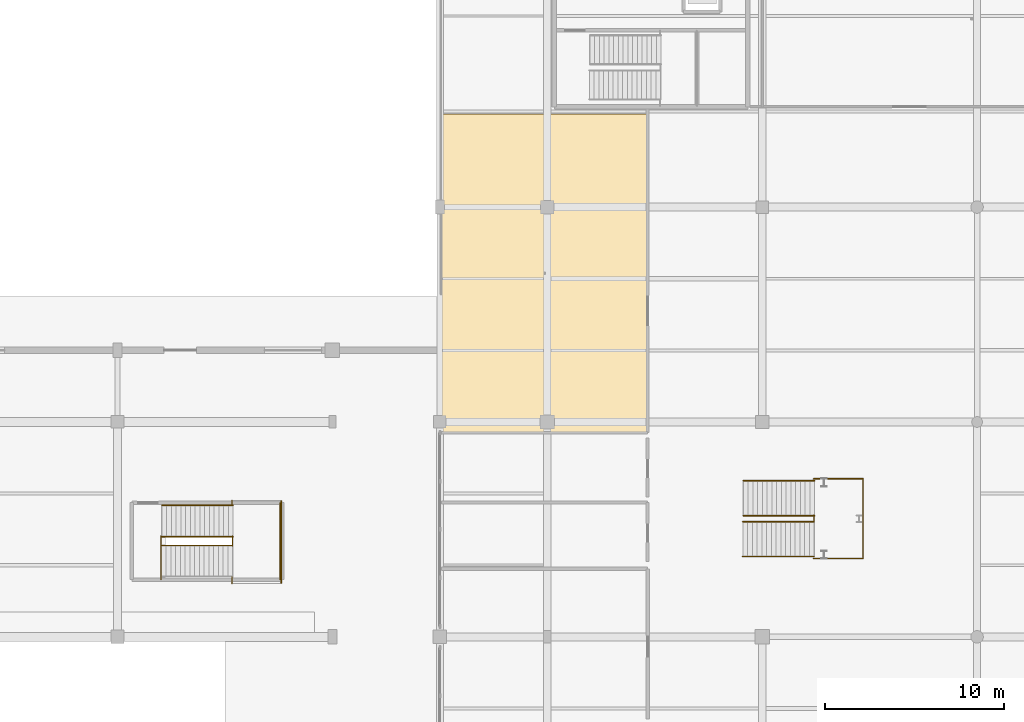
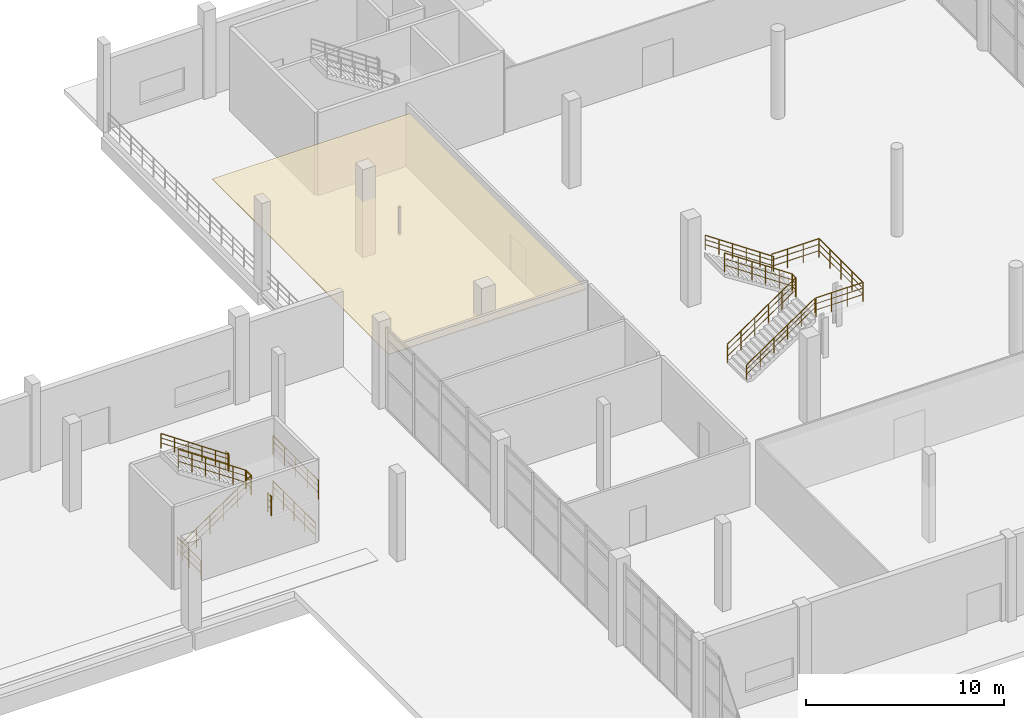
# One storey, part 80 of 85: 17 railings, 1 covering.
"""IFC4 building model written with IfcOpenShell, lengths in metres."""

from ifc_helpers import new_model, si_unit, direction, frame, origin, origin_2d, place, context, subcontext, project, spatial, rectangle, circle, extrude, material, layer, layer_set, type_object, element, save


model = new_model("IFC4")

# Units and contexts
model_context = context("Model", 3, precision=1e-05, world=origin(), true_north=direction((0.0, 1.0)))
body_context = subcontext(model_context, "Body", "Model", "MODEL_VIEW")
ifc_project = project(units=[si_unit("LENGTHUNIT", "METRE"), si_unit("AREAUNIT", "SQUARE_METRE"), si_unit("VOLUMEUNIT", "CUBIC_METRE"), si_unit("PLANEANGLEUNIT", "RADIAN"), si_unit("MASSUNIT", "GRAM", prefix="KILO"), si_unit("THERMODYNAMICTEMPERATUREUNIT", "KELVIN"), si_unit("POWERUNIT", "WATT")], contexts=[model_context])

# Site, building, storey
site_placement = place(None, origin())
site = spatial("IfcSite", under=ifc_project, at=site_placement, CompositionType="ELEMENT")
building_placement = place(site_placement, origin())
building = spatial("IfcBuilding", under=site, at=building_placement, Name="Solmara Park Aquatics Centre", CompositionType="ELEMENT")
storey_placement = place(building_placement, origin())
storey = spatial("IfcBuildingStorey", under=building, at=storey_placement, Name="L00", CompositionType="ELEMENT", Elevation=0.0)

# Covering
ifc_material_1 = material(Name="Moisture-Resistant Perforated Acoustic Gypsum Ceiling", Category="gypsum")
ifc_layer_1 = layer(ifc_material_1, 0.0400390625, Name="Moisture-Resistant Perforated Acoustic Gypsum Ceiling")
ifc_layer_set_1 = layer_set([ifc_layer_1], Name="Moisture-Resistant Perforated Acoustic Gypsum Ceiling")
covering_type = type_object("IfcCoveringType", Name="ARC-COV-CEIL", PredefinedType="CEILING", material=ifc_layer_set_1)
covering_placement = place(storey_placement, frame((167.840087890625, 56.89990234375, 3.3798828125), z_axis=(0.0, 0.0, 1.0), x_axis=(1.0, 0.0, 0.0)))
element("IfcCovering", 1, at=covering_placement, inside=storey, type_object=covering_type, Name="Acoustic Suspended Ceiling L00-COM-01", PredefinedType="CEILING", context=body_context, shape_type="SweptSolid", body=[
    extrude(rectangle(XDim=11.52001953125, YDim=17.800048828125, at=origin_2d()), origin(), (0.0, 0.0, 1.0), 0.0400390625),
])

# Railings
ifc_material_2 = material(Name="Brushed Marine-Grade Stainless Steel 316L Handrail", Category="steel")
ifc_layer_2 = layer(ifc_material_2, 0.044921875, Name="Brushed Marine-Grade Stainless Steel 316L Handrail")
ifc_layer_set_2 = layer_set([ifc_layer_2], Name="Brushed Marine-Grade Stainless Steel 316L Handrail")
railing_type_1 = type_object("IfcRailingType", Name="ARC-RL-HND090", PredefinedType="HANDRAIL", material=ifc_layer_set_2)
railing_1_placement = place(storey_placement, frame((150.455078125, 43.93994140625, 2.868896484375)))
element("IfcRailing", 2, at=railing_1_placement, inside=storey, type_object=railing_type_1, Name="Diving Pavilion Escape Stair ST-09 (L00-L01) Flight 2 Outer Handrail", PredefinedType="HANDRAIL", context=body_context, shape_type="SweptSolid", body=[
    extrude(circle(Radius=0.02392578125, at=origin_2d()), frame((0.0, 0.0, 0.89599609375), z_axis=(-0.827227830126, 0.0, 0.561866636369), x_axis=(0.0, -1.0, 0.0)), (0.0, 0.0, 1.0), 4.805419921875),
    extrude(circle(Radius=0.01416015625, at=origin_2d()), frame((0.0, 0.0, 0.322021484375), z_axis=(-0.827227830126, 0.0, 0.561866636369), x_axis=(0.0, -1.0, 0.0)), (0.0, 0.0, 1.0), 4.805419921875),
    extrude(circle(Radius=0.01416015625, at=origin_2d()), frame((0.0, 0.0, 0.62548828125), z_axis=(-0.827227830126, 0.0, 0.561866636369), x_axis=(0.0, -1.0, 0.0)), (0.0, 0.0, 1.0), 4.805419921875),
    extrude(circle(Radius=0.02099609375, at=origin_2d()), origin(), (0.0, 0.0, 1.0), 0.871826171875),
    extrude(circle(Radius=0.02099609375, at=origin_2d()), frame((-0.794921875, 0.0, 0.5400390625)), (0.0, 0.0, 1.0), 0.871826171875),
    extrude(circle(Radius=0.02099609375, at=origin_2d()), frame((-1.590087890625, 0.0, 1.080078125)), (0.0, 0.0, 1.0), 0.871826171875),
    extrude(circle(Radius=0.02099609375, at=origin_2d()), frame((-2.385009765625, 0.0, 1.619873046875)), (0.0, 0.0, 1.0), 0.871826171875),
    extrude(circle(Radius=0.02099609375, at=origin_2d()), frame((-3.18017578125, 0.0, 2.159912109375)), (0.0, 0.0, 1.0), 0.871826171875),
    extrude(circle(Radius=0.02099609375, at=origin_2d()), frame((-3.97509765625, 0.0, 2.699951171875)), (0.0, 0.0, 1.0), 0.871826171875),
])
railing_2_placement = place(storey_placement, frame((178.919921875, 41.090087890625, 0.168701171875)))
element("IfcRailing", 3, at=railing_2_placement, inside=storey, type_object=railing_type_1, Name="Monumental Foyer Stair ST-06 Flight 1 Outer Handrail", PredefinedType="HANDRAIL", context=body_context, shape_type="SweptSolid", body=[
    extrude(circle(Radius=0.02392578125, at=origin_2d()), frame((0.0, 0.0, 0.89599609375), z_axis=(0.827204215732, 0.0, 0.561901401916), x_axis=(0.0, 1.0, 0.0)), (0.0, 0.0, 1.0), 4.805419921875),
    extrude(circle(Radius=0.01416015625, at=origin_2d()), frame((0.0, 0.0, 0.322021484375), z_axis=(0.827204215732, 0.0, 0.561901401916), x_axis=(0.0, 1.0, 0.0)), (0.0, 0.0, 1.0), 4.805419921875),
    extrude(circle(Radius=0.01416015625, at=origin_2d()), frame((0.0, 0.0, 0.62548828125), z_axis=(0.827204215732, 0.0, 0.561901401916), x_axis=(0.0, 1.0, 0.0)), (0.0, 0.0, 1.0), 4.805419921875),
    extrude(circle(Radius=0.02099609375, at=origin_2d()), origin(), (0.0, 0.0, 1.0), 0.871826171875),
    extrude(circle(Radius=0.02099609375, at=origin_2d()), frame((0.794921875, 0.0, 0.5400390625)), (0.0, 0.0, 1.0), 0.871826171875),
    extrude(circle(Radius=0.02099609375, at=origin_2d()), frame((1.590087890625, 0.0, 1.080078125)), (0.0, 0.0, 1.0), 0.871826171875),
    extrude(circle(Radius=0.02099609375, at=origin_2d()), frame((2.385009765625, 0.0, 1.6201171875)), (0.0, 0.0, 1.0), 0.871826171875),
    extrude(circle(Radius=0.02099609375, at=origin_2d()), frame((3.18017578125, 0.0, 2.16015625)), (0.0, 0.0, 1.0), 0.871826171875),
    extrude(circle(Radius=0.02099609375, at=origin_2d()), frame((3.97509765625, 0.0, 2.7001953125)), (0.0, 0.0, 1.0), 0.871826171875),
])
railing_3_placement = place(storey_placement, frame((182.925048828125, 45.31005859375, 2.868896484375)))
element("IfcRailing", 4, at=railing_3_placement, inside=storey, type_object=railing_type_1, Name="Monumental Foyer Stair ST-06 Flight 2 Outer Handrail", PredefinedType="HANDRAIL", context=body_context, shape_type="SweptSolid", body=[
    extrude(circle(Radius=0.02392578125, at=origin_2d()), frame((0.0, 0.0, 0.89599609375), z_axis=(-0.827227830126, 0.0, 0.561866636369), x_axis=(0.0, -1.0, 0.0)), (0.0, 0.0, 1.0), 4.805419921875),
    extrude(circle(Radius=0.01416015625, at=origin_2d()), frame((0.0, 0.0, 0.322021484375), z_axis=(-0.827227830126, 0.0, 0.561866636369), x_axis=(0.0, -1.0, 0.0)), (0.0, 0.0, 1.0), 4.805419921875),
    extrude(circle(Radius=0.01416015625, at=origin_2d()), frame((0.0, 0.0, 0.62548828125), z_axis=(-0.827227830126, 0.0, 0.561866636369), x_axis=(0.0, -1.0, 0.0)), (0.0, 0.0, 1.0), 4.805419921875),
    extrude(circle(Radius=0.02099609375, at=origin_2d()), origin(), (0.0, 0.0, 1.0), 0.871826171875),
    extrude(circle(Radius=0.02099609375, at=origin_2d()), frame((-0.794921875, 0.0, 0.5400390625)), (0.0, 0.0, 1.0), 0.871826171875),
    extrude(circle(Radius=0.02099609375, at=origin_2d()), frame((-1.590087890625, 0.0, 1.080078125)), (0.0, 0.0, 1.0), 0.871826171875),
    extrude(circle(Radius=0.02099609375, at=origin_2d()), frame((-2.385009765625, 0.0, 1.619873046875)), (0.0, 0.0, 1.0), 0.871826171875),
    extrude(circle(Radius=0.02099609375, at=origin_2d()), frame((-3.18017578125, 0.0, 2.159912109375)), (0.0, 0.0, 1.0), 0.871826171875),
    extrude(circle(Radius=0.02099609375, at=origin_2d()), frame((-3.97509765625, 0.0, 2.699951171875)), (0.0, 0.0, 1.0), 0.871826171875),
])
ifc_material_3 = material(Name="Brushed Stainless Steel Guardrail", Category="steel")
ifc_layer_3 = layer(ifc_material_3, 0.050048828125, Name="Brushed Stainless Steel Guardrail")
ifc_layer_set_3 = layer_set([ifc_layer_3], Name="Brushed Stainless Steel Guardrail")
railing_type_2 = type_object("IfcRailingType", Name="ARC-RL-STR110", PredefinedType="GUARDRAIL", material=ifc_layer_set_3)
railing_4_placement = place(storey_placement, frame((146.429931640625, 39.820068359375, 0.0)))
element("IfcRailing", 5, at=railing_4_placement, inside=storey, type_object=railing_type_2, Name="Diving Pavilion Escape Stair ST-09 (B1-L00) Arrival Well Guardrail", PredefinedType="GUARDRAIL", context=body_context, shape_type="SweptSolid", body=[
    extrude(circle(Radius=0.02392578125, at=origin_2d()), frame((0.0, 0.0, 1.15576171875), z_axis=(0.0, 1.0, 0.0), x_axis=(-1.0, 0.0, 0.0)), (0.0, 0.0, 1.0), 2.39990234375),
    extrude(circle(Radius=0.01416015625, at=origin_2d()), frame((0.0, 0.0, 0.4130859375), z_axis=(0.0, 1.0, 0.0), x_axis=(-1.0, 0.0, 0.0)), (0.0, 0.0, 1.0), 2.39990234375),
    extrude(circle(Radius=0.01416015625, at=origin_2d()), frame((0.0, 0.0, 0.80224609375), z_axis=(0.0, 1.0, 0.0), x_axis=(-1.0, 0.0, 0.0)), (0.0, 0.0, 1.0), 2.39990234375),
    extrude(circle(Radius=0.02099609375, at=origin_2d()), origin(), (0.0, 0.0, 1.0), 1.1318359375),
    extrude(circle(Radius=0.02099609375, at=origin_2d()), frame((0.0, 1.199951171875, 0.0)), (0.0, 0.0, 1.0), 1.1318359375),
    extrude(circle(Radius=0.02099609375, at=origin_2d()), frame((0.0, 2.39990234375, 0.0)), (0.0, 0.0, 1.0), 1.1318359375),
])
railing_5_placement = place(storey_placement, frame((153.080078125, 39.820068359375, 0.0)))
element("IfcRailing", 6, at=railing_5_placement, inside=storey, type_object=railing_type_2, Name="Diving Pavilion Escape Stair ST-09 (B1-L00) Far Well Edge Guardrail", PredefinedType="GUARDRAIL", context=body_context, shape_type="SweptSolid", body=[
    extrude(circle(Radius=0.02392578125, at=origin_2d()), frame((0.0, 0.0, 1.15576171875), z_axis=(0.0, 1.0, 0.0), x_axis=(-1.0, 0.0, 0.0)), (0.0, 0.0, 1.0), 4.260009765625),
    extrude(circle(Radius=0.01416015625, at=origin_2d()), frame((0.0, 0.0, 0.4130859375), z_axis=(0.0, 1.0, 0.0), x_axis=(-1.0, 0.0, 0.0)), (0.0, 0.0, 1.0), 4.260009765625),
    extrude(circle(Radius=0.01416015625, at=origin_2d()), frame((0.0, 0.0, 0.80224609375), z_axis=(0.0, 1.0, 0.0), x_axis=(-1.0, 0.0, 0.0)), (0.0, 0.0, 1.0), 4.260009765625),
    extrude(circle(Radius=0.02099609375, at=origin_2d()), origin(), (0.0, 0.0, 1.0), 1.1318359375),
    extrude(circle(Radius=0.02099609375, at=origin_2d()), frame((0.0, 1.06494140625, 0.0)), (0.0, 0.0, 1.0), 1.1318359375),
    extrude(circle(Radius=0.02099609375, at=origin_2d()), frame((0.0, 2.1298828125, 0.0)), (0.0, 0.0, 1.0), 1.1318359375),
    extrude(circle(Radius=0.02099609375, at=origin_2d()), frame((0.0, 3.195068359375, 0.0)), (0.0, 0.0, 1.0), 1.1318359375),
    extrude(circle(Radius=0.02099609375, at=origin_2d()), frame((0.0, 4.260009765625, 0.0)), (0.0, 0.0, 1.0), 1.1318359375),
])
railing_6_placement = place(storey_placement, frame((146.449951171875, 41.699951171875, 0.0)))
element("IfcRailing", 7, at=railing_6_placement, inside=storey, type_object=railing_type_2, Name="Diving Pavilion Escape Stair ST-09 (L00-L01) Flight 1 Inner Guardrail", PredefinedType="GUARDRAIL", context=body_context, shape_type="SweptSolid", body=[
    extrude(circle(Radius=0.02392578125, at=origin_2d()), frame((0.0, 0.0, 1.15576171875), z_axis=(0.827227830126, 0.0, 0.561866636369), x_axis=(0.0, 1.0, 0.0)), (0.0, 0.0, 1.0), 4.805419921875),
    extrude(circle(Radius=0.01416015625, at=origin_2d()), frame((0.0, 0.0, 0.4130859375), z_axis=(0.827227830126, 0.0, 0.561866636369), x_axis=(0.0, 1.0, 0.0)), (0.0, 0.0, 1.0), 4.805419921875),
    extrude(circle(Radius=0.01416015625, at=origin_2d()), frame((0.0, 0.0, 0.80224609375), z_axis=(0.827227830126, 0.0, 0.561866636369), x_axis=(0.0, 1.0, 0.0)), (0.0, 0.0, 1.0), 4.805419921875),
    extrude(circle(Radius=0.02099609375, at=origin_2d()), origin(), (0.0, 0.0, 1.0), 1.1318359375),
    extrude(circle(Radius=0.02099609375, at=origin_2d()), frame((0.794921875, 0.0, 0.5400390625)), (0.0, 0.0, 1.0), 1.1318359375),
    extrude(circle(Radius=0.02099609375, at=origin_2d()), frame((1.590087890625, 0.0, 1.080078125)), (0.0, 0.0, 1.0), 1.1318359375),
    extrude(circle(Radius=0.02099609375, at=origin_2d()), frame((2.385009765625, 0.0, 1.619873046875)), (0.0, 0.0, 1.0), 1.1318359375),
    extrude(circle(Radius=0.02099609375, at=origin_2d()), frame((3.18017578125, 0.0, 2.159912109375)), (0.0, 0.0, 1.0), 1.1318359375),
    extrude(circle(Radius=0.02099609375, at=origin_2d()), frame((3.97509765625, 0.0, 2.699951171875)), (0.0, 0.0, 1.0), 1.1318359375),
])
railing_7_placement = place(storey_placement, frame((150.455078125, 42.199951171875, 2.699951171875)))
element("IfcRailing", 8, at=railing_7_placement, inside=storey, type_object=railing_type_2, Name="Diving Pavilion Escape Stair ST-09 (L00-L01) Flight 2 Inner Guardrail", PredefinedType="GUARDRAIL", context=body_context, shape_type="SweptSolid", body=[
    extrude(circle(Radius=0.02392578125, at=origin_2d()), frame((0.0, 0.0, 1.15576171875), z_axis=(-0.827227830126, 0.0, 0.561866636369), x_axis=(0.0, -1.0, 0.0)), (0.0, 0.0, 1.0), 4.805419921875),
    extrude(circle(Radius=0.01416015625, at=origin_2d()), frame((0.0, 0.0, 0.4130859375), z_axis=(-0.827227830126, 0.0, 0.561866636369), x_axis=(0.0, -1.0, 0.0)), (0.0, 0.0, 1.0), 4.805419921875),
    extrude(circle(Radius=0.01416015625, at=origin_2d()), frame((0.0, 0.0, 0.80224609375), z_axis=(-0.827227830126, 0.0, 0.561866636369), x_axis=(0.0, -1.0, 0.0)), (0.0, 0.0, 1.0), 4.805419921875),
    extrude(circle(Radius=0.02099609375, at=origin_2d()), origin(), (0.0, 0.0, 1.0), 1.1318359375),
    extrude(circle(Radius=0.02099609375, at=origin_2d()), frame((-0.794921875, 0.0, 0.5400390625)), (0.0, 0.0, 1.0), 1.1318359375),
    extrude(circle(Radius=0.02099609375, at=origin_2d()), frame((-1.590087890625, 0.0, 1.080078125)), (0.0, 0.0, 1.0), 1.1318359375),
    extrude(circle(Radius=0.02099609375, at=origin_2d()), frame((-2.385009765625, 0.0, 1.619873046875)), (0.0, 0.0, 1.0), 1.1318359375),
    extrude(circle(Radius=0.02099609375, at=origin_2d()), frame((-3.18017578125, 0.0, 2.159912109375)), (0.0, 0.0, 1.0), 1.1318359375),
    extrude(circle(Radius=0.02099609375, at=origin_2d()), frame((-3.97509765625, 0.0, 2.699951171875)), (0.0, 0.0, 1.0), 1.1318359375),
])
railing_8_placement = place(storey_placement, frame((150.425048828125, 41.679931640625, 2.699951171875)))
element("IfcRailing", 9, at=railing_8_placement, inside=storey, type_object=railing_type_2, Name="Diving Pavilion Escape Stair ST-09 (L00-L01) Half-Landing Well Guardrail", PredefinedType="GUARDRAIL", context=body_context, shape_type="SweptSolid", body=[
    extrude(circle(Radius=0.02392578125, at=origin_2d()), frame((0.0, 0.0, 1.15576171875), z_axis=(0.0, 1.0, 0.0), x_axis=(-1.0, 0.0, 0.0)), (0.0, 0.0, 1.0), 0.5400390625),
    extrude(circle(Radius=0.01416015625, at=origin_2d()), frame((0.0, 0.0, 0.4130859375), z_axis=(0.0, 1.0, 0.0), x_axis=(-1.0, 0.0, 0.0)), (0.0, 0.0, 1.0), 0.5400390625),
    extrude(circle(Radius=0.01416015625, at=origin_2d()), frame((0.0, 0.0, 0.80224609375), z_axis=(0.0, 1.0, 0.0), x_axis=(-1.0, 0.0, 0.0)), (0.0, 0.0, 1.0), 0.5400390625),
    extrude(circle(Radius=0.02099609375, at=origin_2d()), origin(), (0.0, 0.0, 1.0), 1.1318359375),
    extrude(circle(Radius=0.02099609375, at=origin_2d()), frame((0.0, 0.5400390625, 0.0)), (0.0, 0.0, 1.0), 1.1318359375),
])
railing_9_placement = place(storey_placement, frame((150.39501953125, 39.590087890625, 2.699951171875)))
element("IfcRailing", 10, at=railing_9_placement, inside=storey, type_object=railing_type_2, Name="Diving Pavilion Escape Stair ST-09 (L00-L01) Half-Landing South Slot Guardrail", PredefinedType="GUARDRAIL", context=body_context, shape_type="SweptSolid", body=[
    extrude(circle(Radius=0.02392578125, at=origin_2d()), frame((0.0, 0.0, 1.15576171875), z_axis=(0.0, 1.0, 0.0), x_axis=(-1.0, 0.0, 0.0)), (0.0, 0.0, 1.0), 0.35986328125),
    extrude(circle(Radius=0.01416015625, at=origin_2d()), frame((0.0, 0.0, 0.4130859375), z_axis=(0.0, 1.0, 0.0), x_axis=(-1.0, 0.0, 0.0)), (0.0, 0.0, 1.0), 0.35986328125),
    extrude(circle(Radius=0.01416015625, at=origin_2d()), frame((0.0, 0.0, 0.80224609375), z_axis=(0.0, 1.0, 0.0), x_axis=(-1.0, 0.0, 0.0)), (0.0, 0.0, 1.0), 0.35986328125),
    extrude(circle(Radius=0.02099609375, at=origin_2d()), origin(), (0.0, 0.0, 1.0), 1.1318359375),
    extrude(circle(Radius=0.02099609375, at=origin_2d()), frame((0.0, 0.35986328125, 0.0)), (0.0, 0.0, 1.0), 1.1318359375),
])
railing_10_placement = place(storey_placement, frame((150.39501953125, 43.949951171875, 2.699951171875)))
element("IfcRailing", 11, at=railing_10_placement, inside=storey, type_object=railing_type_2, Name="Diving Pavilion Escape Stair ST-09 (L00-L01) Half-Landing North Slot Guardrail", PredefinedType="GUARDRAIL", context=body_context, shape_type="SweptSolid", body=[
    extrude(circle(Radius=0.02392578125, at=origin_2d()), frame((0.0, 0.0, 1.15576171875), z_axis=(0.0, 1.0, 0.0), x_axis=(-1.0, 0.0, 0.0)), (0.0, 0.0, 1.0), 0.260009765625),
    extrude(circle(Radius=0.01416015625, at=origin_2d()), frame((0.0, 0.0, 0.4130859375), z_axis=(0.0, 1.0, 0.0), x_axis=(-1.0, 0.0, 0.0)), (0.0, 0.0, 1.0), 0.260009765625),
    extrude(circle(Radius=0.01416015625, at=origin_2d()), frame((0.0, 0.0, 0.80224609375), z_axis=(0.0, 1.0, 0.0), x_axis=(-1.0, 0.0, 0.0)), (0.0, 0.0, 1.0), 0.260009765625),
    extrude(circle(Radius=0.02099609375, at=origin_2d()), origin(), (0.0, 0.0, 1.0), 1.1318359375),
    extrude(circle(Radius=0.02099609375, at=origin_2d()), frame((0.0, 0.260009765625, 0.0)), (0.0, 0.0, 1.0), 1.1318359375),
])
railing_11_placement = place(storey_placement, frame((153.14990234375, 39.610107421875, 2.699951171875)))
element("IfcRailing", 12, at=railing_11_placement, inside=storey, type_object=railing_type_2, Name="Diving Pavilion Escape Stair ST-09 (L00-L01) Half-Landing Outer Guardrail", PredefinedType="GUARDRAIL", context=body_context, shape_type="SweptSolid", body=[
    extrude(circle(Radius=0.02392578125, at=origin_2d()), frame((0.0, 0.0, 1.15576171875), z_axis=(0.0, 1.0, 0.0), x_axis=(-1.0, 0.0, 0.0)), (0.0, 0.0, 1.0), 4.579833984375),
    extrude(circle(Radius=0.01416015625, at=origin_2d()), frame((0.0, 0.0, 0.4130859375), z_axis=(0.0, 1.0, 0.0), x_axis=(-1.0, 0.0, 0.0)), (0.0, 0.0, 1.0), 4.579833984375),
    extrude(circle(Radius=0.01416015625, at=origin_2d()), frame((0.0, 0.0, 0.80224609375), z_axis=(0.0, 1.0, 0.0), x_axis=(-1.0, 0.0, 0.0)), (0.0, 0.0, 1.0), 4.579833984375),
    extrude(circle(Radius=0.02099609375, at=origin_2d()), origin(), (0.0, 0.0, 1.0), 1.1318359375),
    extrude(circle(Radius=0.02099609375, at=origin_2d()), frame((0.0, 1.14501953125, 0.0)), (0.0, 0.0, 1.0), 1.1318359375),
    extrude(circle(Radius=0.02099609375, at=origin_2d()), frame((0.0, 2.2900390625, 0.0)), (0.0, 0.0, 1.0), 1.1318359375),
    extrude(circle(Radius=0.02099609375, at=origin_2d()), frame((0.0, 3.434814453125, 0.0)), (0.0, 0.0, 1.0), 1.1318359375),
    extrude(circle(Radius=0.02099609375, at=origin_2d()), frame((0.0, 4.579833984375, 0.0)), (0.0, 0.0, 1.0), 1.1318359375),
])
railing_12_placement = place(storey_placement, frame((178.919921875, 43.030029296875, 0.0)))
element("IfcRailing", 13, at=railing_12_placement, inside=storey, type_object=railing_type_2, Name="Monumental Foyer Stair ST-06 Flight 1 Inner Guardrail", PredefinedType="GUARDRAIL", context=body_context, shape_type="SweptSolid", body=[
    extrude(circle(Radius=0.02392578125, at=origin_2d()), frame((0.0, 0.0, 1.15576171875), z_axis=(0.827227830126, 0.0, 0.561866636369), x_axis=(0.0, 1.0, 0.0)), (0.0, 0.0, 1.0), 4.805419921875),
    extrude(circle(Radius=0.01416015625, at=origin_2d()), frame((0.0, 0.0, 0.4130859375), z_axis=(0.827227830126, 0.0, 0.561866636369), x_axis=(0.0, 1.0, 0.0)), (0.0, 0.0, 1.0), 4.805419921875),
    extrude(circle(Radius=0.01416015625, at=origin_2d()), frame((0.0, 0.0, 0.80224609375), z_axis=(0.827227830126, 0.0, 0.561866636369), x_axis=(0.0, 1.0, 0.0)), (0.0, 0.0, 1.0), 4.805419921875),
    extrude(circle(Radius=0.02099609375, at=origin_2d()), origin(), (0.0, 0.0, 1.0), 1.1318359375),
    extrude(circle(Radius=0.02099609375, at=origin_2d()), frame((0.794921875, 0.0, 0.5400390625)), (0.0, 0.0, 1.0), 1.1318359375),
    extrude(circle(Radius=0.02099609375, at=origin_2d()), frame((1.590087890625, 0.0, 1.080078125)), (0.0, 0.0, 1.0), 1.1318359375),
    extrude(circle(Radius=0.02099609375, at=origin_2d()), frame((2.385009765625, 0.0, 1.619873046875)), (0.0, 0.0, 1.0), 1.1318359375),
    extrude(circle(Radius=0.02099609375, at=origin_2d()), frame((3.18017578125, 0.0, 2.159912109375)), (0.0, 0.0, 1.0), 1.1318359375),
    extrude(circle(Radius=0.02099609375, at=origin_2d()), frame((3.97509765625, 0.0, 2.699951171875)), (0.0, 0.0, 1.0), 1.1318359375),
])
railing_13_placement = place(storey_placement, frame((182.925048828125, 43.3701171875, 2.699951171875)))
element("IfcRailing", 14, at=railing_13_placement, inside=storey, type_object=railing_type_2, Name="Monumental Foyer Stair ST-06 Flight 2 Inner Guardrail", PredefinedType="GUARDRAIL", context=body_context, shape_type="SweptSolid", body=[
    extrude(circle(Radius=0.02392578125, at=origin_2d()), frame((0.0, 0.0, 1.15576171875), z_axis=(-0.827227830126, 0.0, 0.561866636369), x_axis=(0.0, -1.0, 0.0)), (0.0, 0.0, 1.0), 4.805419921875),
    extrude(circle(Radius=0.01416015625, at=origin_2d()), frame((0.0, 0.0, 0.4130859375), z_axis=(-0.827227830126, 0.0, 0.561866636369), x_axis=(0.0, -1.0, 0.0)), (0.0, 0.0, 1.0), 4.805419921875),
    extrude(circle(Radius=0.01416015625, at=origin_2d()), frame((0.0, 0.0, 0.80224609375), z_axis=(-0.827227830126, 0.0, 0.561866636369), x_axis=(0.0, -1.0, 0.0)), (0.0, 0.0, 1.0), 4.805419921875),
    extrude(circle(Radius=0.02099609375, at=origin_2d()), origin(), (0.0, 0.0, 1.0), 1.1318359375),
    extrude(circle(Radius=0.02099609375, at=origin_2d()), frame((-0.794921875, 0.0, 0.5400390625)), (0.0, 0.0, 1.0), 1.1318359375),
    extrude(circle(Radius=0.02099609375, at=origin_2d()), frame((-1.590087890625, 0.0, 1.080078125)), (0.0, 0.0, 1.0), 1.1318359375),
    extrude(circle(Radius=0.02099609375, at=origin_2d()), frame((-2.385009765625, 0.0, 1.619873046875)), (0.0, 0.0, 1.0), 1.1318359375),
    extrude(circle(Radius=0.02099609375, at=origin_2d()), frame((-3.18017578125, 0.0, 2.159912109375)), (0.0, 0.0, 1.0), 1.1318359375),
    extrude(circle(Radius=0.02099609375, at=origin_2d()), frame((-3.97509765625, 0.0, 2.699951171875)), (0.0, 0.0, 1.0), 1.1318359375),
])
railing_14_placement = place(storey_placement, frame((182.89501953125, 43.010009765625, 2.699951171875)))
element("IfcRailing", 15, at=railing_14_placement, inside=storey, type_object=railing_type_2, Name="Monumental Foyer Stair ST-06 Half-Landing Well Guardrail", PredefinedType="GUARDRAIL", context=body_context, shape_type="SweptSolid", body=[
    extrude(circle(Radius=0.02392578125, at=origin_2d()), frame((0.0, 0.0, 1.15576171875), z_axis=(0.0, 1.0, 0.0), x_axis=(-1.0, 0.0, 0.0)), (0.0, 0.0, 1.0), 0.3798828125),
    extrude(circle(Radius=0.01416015625, at=origin_2d()), frame((0.0, 0.0, 0.4130859375), z_axis=(0.0, 1.0, 0.0), x_axis=(-1.0, 0.0, 0.0)), (0.0, 0.0, 1.0), 0.3798828125),
    extrude(circle(Radius=0.01416015625, at=origin_2d()), frame((0.0, 0.0, 0.80224609375), z_axis=(0.0, 1.0, 0.0), x_axis=(-1.0, 0.0, 0.0)), (0.0, 0.0, 1.0), 0.3798828125),
    extrude(circle(Radius=0.02099609375, at=origin_2d()), origin(), (0.0, 0.0, 1.0), 1.1318359375),
    extrude(circle(Radius=0.02099609375, at=origin_2d()), frame((0.0, 0.3798828125, 0.0)), (0.0, 0.0, 1.0), 1.1318359375),
])
railing_15_placement = place(storey_placement, frame((185.6298828125, 40.97998046875, 2.699951171875)))
element("IfcRailing", 16, at=railing_15_placement, inside=storey, type_object=railing_type_2, Name="Monumental Foyer Stair ST-06 Half-Landing Outer Guardrail", PredefinedType="GUARDRAIL", context=body_context, shape_type="SweptSolid", body=[
    extrude(circle(Radius=0.02392578125, at=origin_2d()), frame((0.0, 0.0, 1.15576171875), z_axis=(0.0, 1.0, 0.0), x_axis=(-1.0, 0.0, 0.0)), (0.0, 0.0, 1.0), 4.43994140625),
    extrude(circle(Radius=0.01416015625, at=origin_2d()), frame((0.0, 0.0, 0.4130859375), z_axis=(0.0, 1.0, 0.0), x_axis=(-1.0, 0.0, 0.0)), (0.0, 0.0, 1.0), 4.43994140625),
    extrude(circle(Radius=0.01416015625, at=origin_2d()), frame((0.0, 0.0, 0.80224609375), z_axis=(0.0, 1.0, 0.0), x_axis=(-1.0, 0.0, 0.0)), (0.0, 0.0, 1.0), 4.43994140625),
    extrude(circle(Radius=0.02099609375, at=origin_2d()), origin(), (0.0, 0.0, 1.0), 1.1318359375),
    extrude(circle(Radius=0.02099609375, at=origin_2d()), frame((0.0, 1.10986328125, 0.0)), (0.0, 0.0, 1.0), 1.1318359375),
    extrude(circle(Radius=0.02099609375, at=origin_2d()), frame((0.0, 2.219970703125, 0.0)), (0.0, 0.0, 1.0), 1.1318359375),
    extrude(circle(Radius=0.02099609375, at=origin_2d()), frame((0.0, 3.330078125, 0.0)), (0.0, 0.0, 1.0), 1.1318359375),
    extrude(circle(Radius=0.02099609375, at=origin_2d()), frame((0.0, 4.43994140625, 0.0)), (0.0, 0.0, 1.0), 1.1318359375),
])
for number, where, name in (
    (17, (182.885009765625, 40.97998046875, 2.699951171875), "Monumental Foyer Stair ST-06 Half-Landing Guardrail S"),
    (18, (182.885009765625, 45.419921875, 2.699951171875), "Monumental Foyer Stair ST-06 Half-Landing Guardrail N"),
):
    element("IfcRailing", number, at=place(storey_placement, frame(where)), inside=storey, type_object=railing_type_2, Name=name, PredefinedType="GUARDRAIL", context=body_context, shape_type="SweptSolid", body=[
        extrude(circle(Radius=0.02392578125, at=origin_2d()), frame((0.0, 0.0, 1.15576171875), z_axis=(1.0, 0.0, 0.0), x_axis=(0.0, 1.0, 0.0)), (0.0, 0.0, 1.0), 2.744873046875),
        extrude(circle(Radius=0.01416015625, at=origin_2d()), frame((0.0, 0.0, 0.4130859375), z_axis=(1.0, 0.0, 0.0), x_axis=(0.0, 1.0, 0.0)), (0.0, 0.0, 1.0), 2.744873046875),
        extrude(circle(Radius=0.01416015625, at=origin_2d()), frame((0.0, 0.0, 0.80224609375), z_axis=(1.0, 0.0, 0.0), x_axis=(0.0, 1.0, 0.0)), (0.0, 0.0, 1.0), 2.744873046875),
        extrude(circle(Radius=0.02099609375, at=origin_2d()), origin(), (0.0, 0.0, 1.0), 1.1318359375),
        extrude(circle(Radius=0.02099609375, at=origin_2d()), frame((0.9150390625, 0.0, 0.0)), (0.0, 0.0, 1.0), 1.1318359375),
        extrude(circle(Radius=0.02099609375, at=origin_2d()), frame((1.829833984375, 0.0, 0.0)), (0.0, 0.0, 1.0), 1.1318359375),
        extrude(circle(Radius=0.02099609375, at=origin_2d()), frame((2.744873046875, 0.0, 0.0)), (0.0, 0.0, 1.0), 1.1318359375),
    ])

save(model, "model.ifc")
